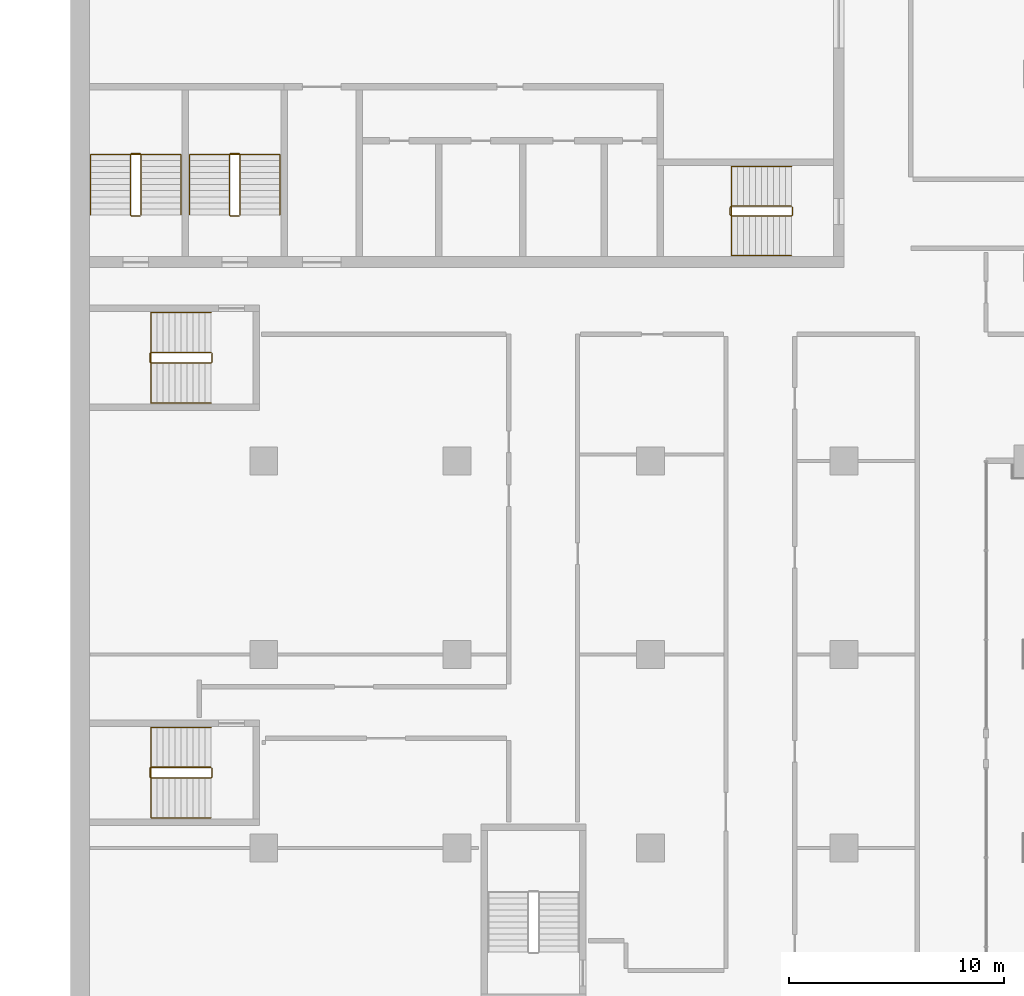
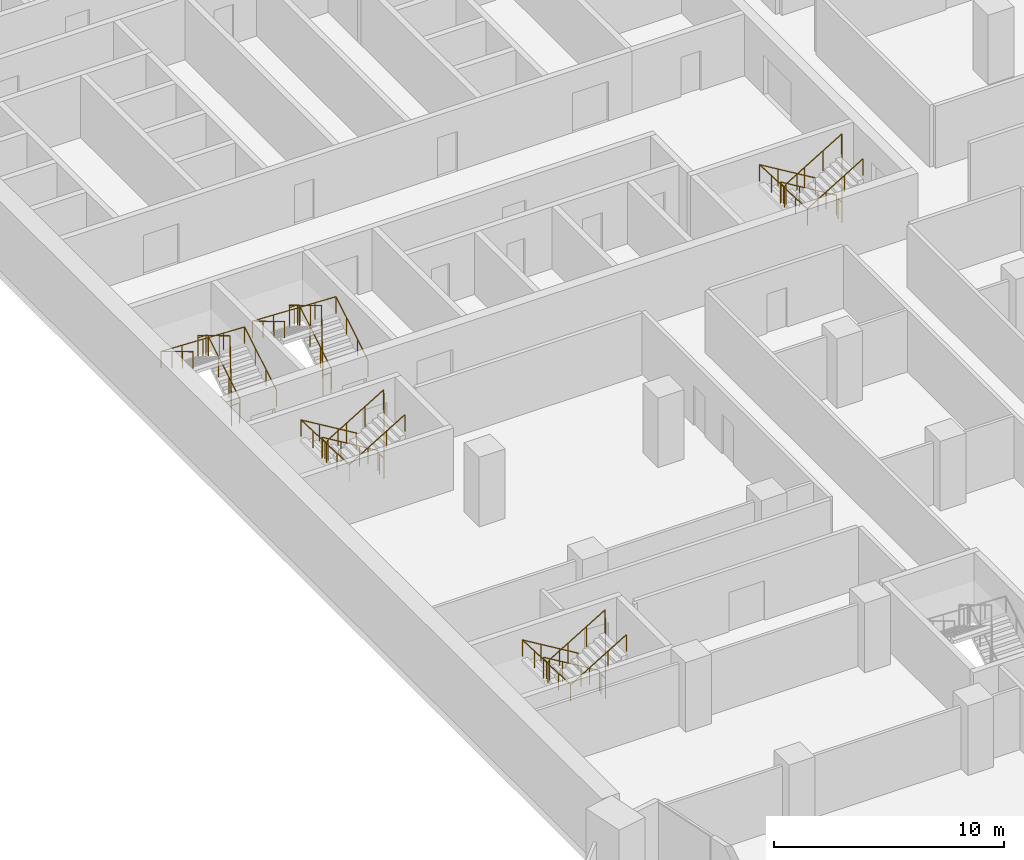
# One storey, part 21 of 23: 10 railings.
"""IFC4 building model written with IfcOpenShell, lengths in metres."""

from ifc_helpers import new_model, si_unit, direction, frame, origin, origin_2d, place, context, subcontext, project, spatial, circle, extrude, material, type_object, element, save


model = new_model("IFC4")

# Units and contexts
model_context = context("Model", 3, precision=1e-05, world=origin(), true_north=direction((0.0, 1.0)))
body_context = subcontext(model_context, "Body", "Model", "MODEL_VIEW")
ifc_project = project(units=[si_unit("LENGTHUNIT", "METRE"), si_unit("AREAUNIT", "SQUARE_METRE"), si_unit("VOLUMEUNIT", "CUBIC_METRE"), si_unit("PLANEANGLEUNIT", "RADIAN"), si_unit("MASSUNIT", "GRAM", prefix="KILO")], contexts=[model_context])

# Site, building, storey
site_placement = place(None, origin())
site = spatial("IfcSite", under=ifc_project, at=site_placement, CompositionType="ELEMENT")
building_placement = place(site_placement, origin())
building = spatial("IfcBuilding", under=site, at=building_placement, Name="Hunhe Ridgeline Campus", CompositionType="ELEMENT")
storey_placement = place(building_placement, frame((0.0, 0.0, 121.800048828125)))
storey = spatial("IfcBuildingStorey", under=building, at=storey_placement, Name="L30", CompositionType="ELEMENT", Elevation=121.800048828125)

# Railings
ifc_material_1 = material(Name="Stainless steel balustrade", Category="steel")
railing_type_1 = type_object("IfcRailingType", Name="Stair guard 1100 stainless", PredefinedType="GUARDRAIL", material=ifc_material_1)
railing_1_placement = place(storey_placement, frame((33.550048828125, 65.85009765625, 0.168212890625)))
element("IfcRailing", 1, at=railing_1_placement, inside=storey, type_object=railing_type_1, Name="L30 stair S2 guard", PredefinedType="GUARDRAIL", context=body_context, shape_type="SweptSolid", body=[
    extrude(circle(Radius=0.02392578125, at=origin_2d()), frame((0.0, 0.0, 1.076171875), z_axis=(-0.857275202839, 0.0, 0.514858452973), x_axis=(0.0, -1.0, 0.0)), (0.0, 0.0, 1.0), 3.26611328125),
    extrude(circle(Radius=0.02392578125, at=origin_2d()), frame((-2.800048828125, 0.0, 2.7578125), z_axis=(-0.707106781187, -0.707106781187, 0.0), x_axis=(0.707106781187, -0.707106781187, 0.0)), (0.0, 0.0, 1.0), 0.07080078125),
    extrude(circle(Radius=0.02392578125, at=origin_2d()), frame((-2.85009765625, -0.050048828125, 2.7578125), z_axis=(0.0, -1.0, 0.0), x_axis=(1.0, 0.0, 0.0)), (0.0, 0.0, 1.0), 0.35009765625),
    extrude(circle(Radius=0.02392578125, at=origin_2d()), frame((-2.85009765625, -0.400146484375, 2.7578125), z_axis=(0.274243871929, -0.274243871929, 0.92172696468), x_axis=(0.707106781187, 0.707106781187, 0.0)), (0.0, 0.0, 1.0), 0.1826171875),
    extrude(circle(Radius=0.02392578125, at=origin_2d()), frame((-2.800048828125, -0.4501953125, 2.92578125), z_axis=(0.857242210791, 0.0, 0.514913383045), x_axis=(0.0, 1.0, 0.0)), (0.0, 0.0, 1.0), 3.266357421875),
    extrude(circle(Radius=0.02392578125, at=origin_2d()), frame((0.0, -0.4501953125, 4.60791015625), z_axis=(0.013524414389, 0.013524414389, -0.999817073484), x_axis=(-0.707106781187, 0.707106781187, 0.0)), (0.0, 0.0, 1.0), 3.70068359375),
    extrude(circle(Radius=0.02392578125, at=origin_2d()), frame((0.050048828125, -0.400146484375, 0.90771484375), z_axis=(0.0, 1.0, 0.0), x_axis=(-1.0, 0.0, 0.0)), (0.0, 0.0, 1.0), 0.35009765625),
    extrude(circle(Radius=0.02099609375, at=origin_2d()), origin(), (0.0, 0.0, 1.0), 1.052001953125),
    extrude(circle(Radius=0.02099609375, at=origin_2d()), frame((-0.933349609375, 0.0, 0.560546875)), (0.0, 0.0, 1.0), 1.052001953125),
    extrude(circle(Radius=0.02099609375, at=origin_2d()), frame((-1.86669921875, 0.0, 1.12109375)), (0.0, 0.0, 1.0), 1.052001953125),
    extrude(circle(Radius=0.02099609375, at=origin_2d()), frame((-2.800048828125, 0.0, 1.681640625)), (0.0, 0.0, 1.0), 1.052001953125),
    extrude(circle(Radius=0.02099609375, at=origin_2d()), frame((-2.85009765625, -0.050048828125, 1.681640625)), (0.0, 0.0, 1.0), 1.052001953125),
    extrude(circle(Radius=0.02099609375, at=origin_2d()), frame((-2.85009765625, -0.400146484375, 1.681640625)), (0.0, 0.0, 1.0), 1.052001953125),
    extrude(circle(Radius=0.02099609375, at=origin_2d()), frame((-2.800048828125, -0.4501953125, 1.849853515625)), (0.0, 0.0, 1.0), 1.052001953125),
    extrude(circle(Radius=0.02099609375, at=origin_2d()), frame((-1.86669921875, -0.4501953125, 2.410400390625)), (0.0, 0.0, 1.0), 1.052001953125),
    extrude(circle(Radius=0.02099609375, at=origin_2d()), frame((-0.933349609375, -0.4501953125, 2.97119140625)), (0.0, 0.0, 1.0), 1.052001953125),
    extrude(circle(Radius=0.02099609375, at=origin_2d()), frame((0.0, -0.4501953125, 3.53173828125)), (0.0, 0.0, 1.0), 1.052001953125),
    extrude(circle(Radius=0.02099609375, at=origin_2d()), frame((0.012451171875, -0.437744140625, 2.606689453125)), (0.0, 0.0, 1.0), 1.052001953125),
    extrude(circle(Radius=0.02099609375, at=origin_2d()), frame((0.02490234375, -0.42529296875, 1.681640625)), (0.0, 0.0, 1.0), 1.052001953125),
    extrude(circle(Radius=0.02099609375, at=origin_2d()), frame((0.03759765625, -0.41259765625, 0.7568359375)), (0.0, 0.0, 1.0), 1.052001953125),
    extrude(circle(Radius=0.02099609375, at=origin_2d()), frame((0.050048828125, -0.400146484375, -0.168212890625)), (0.0, 0.0, 1.0), 1.052001953125),
    extrude(circle(Radius=0.02099609375, at=origin_2d()), frame((0.050048828125, -0.050048828125, -0.168212890625)), (0.0, 0.0, 1.0), 1.052001953125),
])
railing_2_placement = place(storey_placement, frame((3.300048828125, 65.449951171875, 0.168212890625)))
element("IfcRailing", 2, at=railing_2_placement, inside=storey, type_object=railing_type_1, Name="L30 stair S3 guard", PredefinedType="GUARDRAIL", context=body_context, shape_type="SweptSolid", body=[
    extrude(circle(Radius=0.02392578125, at=origin_2d()), frame((0.0, 0.0, 1.076171875), z_axis=(0.0, 0.857275202839, 0.514858452973), x_axis=(-1.0, 0.0, 0.0)), (0.0, 0.0, 1.0), 3.26611328125),
    extrude(circle(Radius=0.02392578125, at=origin_2d()), frame((0.0, 2.800048828125, 2.7578125), z_axis=(-0.707106781187, 0.707106781187, 0.0), x_axis=(-0.707106781187, -0.707106781187, 0.0)), (0.0, 0.0, 1.0), 0.07080078125),
    extrude(circle(Radius=0.02392578125, at=origin_2d()), frame((-0.050048828125, 2.85009765625, 2.7578125), z_axis=(-1.0, 0.0, 0.0), x_axis=(0.0, -1.0, 0.0)), (0.0, 0.0, 1.0), 0.39990234375),
    extrude(circle(Radius=0.02392578125, at=origin_2d()), frame((-0.449951171875, 2.85009765625, 2.7578125), z_axis=(-0.274243871929, -0.274243871929, 0.92172696468), x_axis=(0.707106781187, -0.707106781187, 0.0)), (0.0, 0.0, 1.0), 0.1826171875),
    extrude(circle(Radius=0.02392578125, at=origin_2d()), frame((-0.5, 2.800048828125, 2.92578125), z_axis=(0.0, -0.857242210791, 0.514913383045), x_axis=(1.0, 0.0, 0.0)), (0.0, 0.0, 1.0), 3.266357421875),
    extrude(circle(Radius=0.02392578125, at=origin_2d()), frame((-0.5, 0.0, 4.60791015625), z_axis=(0.013524414389, -0.013524414389, -0.999817073484), x_axis=(0.707106781187, 0.707106781187, 0.0)), (0.0, 0.0, 1.0), 3.70068359375),
    extrude(circle(Radius=0.02392578125, at=origin_2d()), frame((-0.449951171875, -0.050048828125, 0.90771484375), z_axis=(1.0, 0.0, 0.0), x_axis=(0.0, 1.0, 0.0)), (0.0, 0.0, 1.0), 0.39990234375),
    extrude(circle(Radius=0.02099609375, at=origin_2d()), origin(), (0.0, 0.0, 1.0), 1.052001953125),
    extrude(circle(Radius=0.02099609375, at=origin_2d()), frame((0.0, 0.933349609375, 0.560546875)), (0.0, 0.0, 1.0), 1.052001953125),
    extrude(circle(Radius=0.02099609375, at=origin_2d()), frame((0.0, 1.86669921875, 1.12109375)), (0.0, 0.0, 1.0), 1.052001953125),
    extrude(circle(Radius=0.02099609375, at=origin_2d()), frame((0.0, 2.800048828125, 1.681640625)), (0.0, 0.0, 1.0), 1.052001953125),
    extrude(circle(Radius=0.02099609375, at=origin_2d()), frame((-0.050048828125, 2.85009765625, 1.681640625)), (0.0, 0.0, 1.0), 1.052001953125),
    extrude(circle(Radius=0.02099609375, at=origin_2d()), frame((-0.449951171875, 2.85009765625, 1.681640625)), (0.0, 0.0, 1.0), 1.052001953125),
    extrude(circle(Radius=0.02099609375, at=origin_2d()), frame((-0.5, 2.800048828125, 1.849853515625)), (0.0, 0.0, 1.0), 1.052001953125),
    extrude(circle(Radius=0.02099609375, at=origin_2d()), frame((-0.5, 1.86669921875, 2.410400390625)), (0.0, 0.0, 1.0), 1.052001953125),
    extrude(circle(Radius=0.02099609375, at=origin_2d()), frame((-0.5, 0.933349609375, 2.97119140625)), (0.0, 0.0, 1.0), 1.052001953125),
    extrude(circle(Radius=0.02099609375, at=origin_2d()), frame((-0.5, 0.0, 3.53173828125)), (0.0, 0.0, 1.0), 1.052001953125),
    extrude(circle(Radius=0.02099609375, at=origin_2d()), frame((-0.487548828125, -0.012451171875, 2.606689453125)), (0.0, 0.0, 1.0), 1.052001953125),
    extrude(circle(Radius=0.02099609375, at=origin_2d()), frame((-0.47509765625, -0.02490234375, 1.681640625)), (0.0, 0.0, 1.0), 1.052001953125),
    extrude(circle(Radius=0.02099609375, at=origin_2d()), frame((-0.46240234375, -0.03759765625, 0.7568359375)), (0.0, 0.0, 1.0), 1.052001953125),
    extrude(circle(Radius=0.02099609375, at=origin_2d()), frame((-0.449951171875, -0.050048828125, -0.168212890625)), (0.0, 0.0, 1.0), 1.052001953125),
    extrude(circle(Radius=0.02099609375, at=origin_2d()), frame((-0.050048828125, -0.050048828125, -0.168212890625)), (0.0, 0.0, 1.0), 1.052001953125),
])
railing_3_placement = place(storey_placement, frame((7.89990234375, 65.449951171875, 0.168212890625)))
element("IfcRailing", 3, at=railing_3_placement, inside=storey, type_object=railing_type_1, Name="L30 stair S4 guard", PredefinedType="GUARDRAIL", context=body_context, shape_type="SweptSolid", body=[
    extrude(circle(Radius=0.02392578125, at=origin_2d()), frame((0.0, 0.0, 1.076171875), z_axis=(0.0, 0.857275202839, 0.514858452973), x_axis=(-1.0, 0.0, 0.0)), (0.0, 0.0, 1.0), 3.26611328125),
    extrude(circle(Radius=0.02392578125, at=origin_2d()), frame((0.0, 2.800048828125, 2.7578125), z_axis=(-0.705375805398, 0.708833529934, 0.0), x_axis=(-0.708833529934, -0.705375805398, 0.0)), (0.0, 0.0, 1.0), 0.070556640625),
    extrude(circle(Radius=0.02392578125, at=origin_2d()), frame((-0.0498046875, 2.85009765625, 2.7578125), z_axis=(-1.0, 0.0, 0.0), x_axis=(0.0, -1.0, 0.0)), (0.0, 0.0, 1.0), 0.400146484375),
    extrude(circle(Radius=0.02392578125, at=origin_2d()), frame((-0.449951171875, 2.85009765625, 2.7578125), z_axis=(-0.274243871929, -0.274243871929, 0.92172696468), x_axis=(0.707106781187, -0.707106781187, 0.0)), (0.0, 0.0, 1.0), 0.1826171875),
    extrude(circle(Radius=0.02392578125, at=origin_2d()), frame((-0.5, 2.800048828125, 2.92578125), z_axis=(0.0, -0.857242210791, 0.514913383045), x_axis=(1.0, 0.0, 0.0)), (0.0, 0.0, 1.0), 3.266357421875),
    extrude(circle(Radius=0.02392578125, at=origin_2d()), frame((-0.5, 0.0, 4.60791015625), z_axis=(0.013524414389, -0.013524414389, -0.999817073484), x_axis=(0.707106781187, 0.707106781187, 0.0)), (0.0, 0.0, 1.0), 3.70068359375),
    extrude(circle(Radius=0.02392578125, at=origin_2d()), frame((-0.449951171875, -0.050048828125, 0.90771484375), z_axis=(1.0, 0.0, 0.0), x_axis=(0.0, 1.0, 0.0)), (0.0, 0.0, 1.0), 0.400146484375),
    extrude(circle(Radius=0.02099609375, at=origin_2d()), origin(), (0.0, 0.0, 1.0), 1.052001953125),
    extrude(circle(Radius=0.02099609375, at=origin_2d()), frame((0.0, 0.933349609375, 0.560546875)), (0.0, 0.0, 1.0), 1.052001953125),
    extrude(circle(Radius=0.02099609375, at=origin_2d()), frame((0.0, 1.86669921875, 1.12109375)), (0.0, 0.0, 1.0), 1.052001953125),
    extrude(circle(Radius=0.02099609375, at=origin_2d()), frame((0.0, 2.800048828125, 1.681640625)), (0.0, 0.0, 1.0), 1.052001953125),
    extrude(circle(Radius=0.02099609375, at=origin_2d()), frame((-0.0498046875, 2.85009765625, 1.681640625)), (0.0, 0.0, 1.0), 1.052001953125),
    extrude(circle(Radius=0.02099609375, at=origin_2d()), frame((-0.449951171875, 2.85009765625, 1.681640625)), (0.0, 0.0, 1.0), 1.052001953125),
    extrude(circle(Radius=0.02099609375, at=origin_2d()), frame((-0.5, 2.800048828125, 1.849853515625)), (0.0, 0.0, 1.0), 1.052001953125),
    extrude(circle(Radius=0.02099609375, at=origin_2d()), frame((-0.5, 1.86669921875, 2.410400390625)), (0.0, 0.0, 1.0), 1.052001953125),
    extrude(circle(Radius=0.02099609375, at=origin_2d()), frame((-0.5, 0.933349609375, 2.97119140625)), (0.0, 0.0, 1.0), 1.052001953125),
    extrude(circle(Radius=0.02099609375, at=origin_2d()), frame((-0.5, 0.0, 3.53173828125)), (0.0, 0.0, 1.0), 1.052001953125),
    extrude(circle(Radius=0.02099609375, at=origin_2d()), frame((-0.487548828125, -0.012451171875, 2.606689453125)), (0.0, 0.0, 1.0), 1.052001953125),
    extrude(circle(Radius=0.02099609375, at=origin_2d()), frame((-0.47509765625, -0.02490234375, 1.681640625)), (0.0, 0.0, 1.0), 1.052001953125),
    extrude(circle(Radius=0.02099609375, at=origin_2d()), frame((-0.46240234375, -0.03759765625, 0.7568359375)), (0.0, 0.0, 1.0), 1.052001953125),
    extrude(circle(Radius=0.02099609375, at=origin_2d()), frame((-0.449951171875, -0.050048828125, -0.168212890625)), (0.0, 0.0, 1.0), 1.052001953125),
    extrude(circle(Radius=0.02099609375, at=origin_2d()), frame((-0.0498046875, -0.050048828125, -0.168212890625)), (0.0, 0.0, 1.0), 1.052001953125),
])
railing_4_placement = place(storey_placement, frame((6.550048828125, 39.75, 0.168212890625)))
element("IfcRailing", 4, at=railing_4_placement, inside=storey, type_object=railing_type_1, Name="L30 stair W1 guard", PredefinedType="GUARDRAIL", context=body_context, shape_type="SweptSolid", body=[
    extrude(circle(Radius=0.02392578125, at=origin_2d()), frame((0.0, 0.0, 1.076171875), z_axis=(-0.857275202839, 0.0, 0.514858452973), x_axis=(0.0, -1.0, 0.0)), (0.0, 0.0, 1.0), 3.26611328125),
    extrude(circle(Radius=0.02392578125, at=origin_2d()), frame((-2.800048828125, 0.0, 2.7578125), z_axis=(-0.707106781187, -0.707106781187, 0.0), x_axis=(0.707106781187, -0.707106781187, 0.0)), (0.0, 0.0, 1.0), 0.07080078125),
    extrude(circle(Radius=0.02392578125, at=origin_2d()), frame((-2.85009765625, -0.050048828125, 2.7578125), z_axis=(0.0, -1.0, 0.0), x_axis=(1.0, 0.0, 0.0)), (0.0, 0.0, 1.0), 0.39990234375),
    extrude(circle(Radius=0.02392578125, at=origin_2d()), frame((-2.85009765625, -0.449951171875, 2.7578125), z_axis=(0.274243871929, -0.274243871929, 0.92172696468), x_axis=(0.707106781187, 0.707106781187, 0.0)), (0.0, 0.0, 1.0), 0.1826171875),
    extrude(circle(Radius=0.02392578125, at=origin_2d()), frame((-2.800048828125, -0.5, 2.92578125), z_axis=(0.857242210791, 0.0, 0.514913383045), x_axis=(0.0, 1.0, 0.0)), (0.0, 0.0, 1.0), 3.266357421875),
    extrude(circle(Radius=0.02392578125, at=origin_2d()), frame((0.0, -0.5, 4.60791015625), z_axis=(0.013524414389, 0.013524414389, -0.999817073484), x_axis=(-0.707106781187, 0.707106781187, 0.0)), (0.0, 0.0, 1.0), 3.70068359375),
    extrude(circle(Radius=0.02392578125, at=origin_2d()), frame((0.050048828125, -0.449951171875, 0.90771484375), z_axis=(0.0, 1.0, 0.0), x_axis=(-1.0, 0.0, 0.0)), (0.0, 0.0, 1.0), 0.39990234375),
    extrude(circle(Radius=0.02099609375, at=origin_2d()), origin(), (0.0, 0.0, 1.0), 1.052001953125),
    extrude(circle(Radius=0.02099609375, at=origin_2d()), frame((-0.933349609375, 0.0, 0.560546875)), (0.0, 0.0, 1.0), 1.052001953125),
    extrude(circle(Radius=0.02099609375, at=origin_2d()), frame((-1.86669921875, 0.0, 1.12109375)), (0.0, 0.0, 1.0), 1.052001953125),
    extrude(circle(Radius=0.02099609375, at=origin_2d()), frame((-2.800048828125, 0.0, 1.681640625)), (0.0, 0.0, 1.0), 1.052001953125),
    extrude(circle(Radius=0.02099609375, at=origin_2d()), frame((-2.85009765625, -0.050048828125, 1.681640625)), (0.0, 0.0, 1.0), 1.052001953125),
    extrude(circle(Radius=0.02099609375, at=origin_2d()), frame((-2.85009765625, -0.449951171875, 1.681640625)), (0.0, 0.0, 1.0), 1.052001953125),
    extrude(circle(Radius=0.02099609375, at=origin_2d()), frame((-2.800048828125, -0.5, 1.849853515625)), (0.0, 0.0, 1.0), 1.052001953125),
    extrude(circle(Radius=0.02099609375, at=origin_2d()), frame((-1.86669921875, -0.5, 2.410400390625)), (0.0, 0.0, 1.0), 1.052001953125),
    extrude(circle(Radius=0.02099609375, at=origin_2d()), frame((-0.933349609375, -0.5, 2.97119140625)), (0.0, 0.0, 1.0), 1.052001953125),
    extrude(circle(Radius=0.02099609375, at=origin_2d()), frame((0.0, -0.5, 3.53173828125)), (0.0, 0.0, 1.0), 1.052001953125),
    extrude(circle(Radius=0.02099609375, at=origin_2d()), frame((0.012451171875, -0.487548828125, 2.606689453125)), (0.0, 0.0, 1.0), 1.052001953125),
    extrude(circle(Radius=0.02099609375, at=origin_2d()), frame((0.02490234375, -0.47509765625, 1.681640625)), (0.0, 0.0, 1.0), 1.052001953125),
    extrude(circle(Radius=0.02099609375, at=origin_2d()), frame((0.03759765625, -0.46240234375, 0.7568359375)), (0.0, 0.0, 1.0), 1.052001953125),
    extrude(circle(Radius=0.02099609375, at=origin_2d()), frame((0.050048828125, -0.449951171875, -0.168212890625)), (0.0, 0.0, 1.0), 1.052001953125),
    extrude(circle(Radius=0.02099609375, at=origin_2d()), frame((0.050048828125, -0.050048828125, -0.168212890625)), (0.0, 0.0, 1.0), 1.052001953125),
])
railing_5_placement = place(storey_placement, frame((6.550048828125, 59.050048828125, 0.168212890625)))
element("IfcRailing", 5, at=railing_5_placement, inside=storey, type_object=railing_type_1, Name="L30 stair W2 guard", PredefinedType="GUARDRAIL", context=body_context, shape_type="SweptSolid", body=[
    extrude(circle(Radius=0.02392578125, at=origin_2d()), frame((0.0, 0.0, 1.076171875), z_axis=(-0.857275202839, 0.0, 0.514858452973), x_axis=(0.0, -1.0, 0.0)), (0.0, 0.0, 1.0), 3.26611328125),
    extrude(circle(Radius=0.02392578125, at=origin_2d()), frame((-2.800048828125, 0.0, 2.7578125), z_axis=(-0.707106781187, -0.707106781187, 0.0), x_axis=(0.707106781187, -0.707106781187, 0.0)), (0.0, 0.0, 1.0), 0.07080078125),
    extrude(circle(Radius=0.02392578125, at=origin_2d()), frame((-2.85009765625, -0.050048828125, 2.7578125), z_axis=(0.0, -1.0, 0.0), x_axis=(1.0, 0.0, 0.0)), (0.0, 0.0, 1.0), 0.39990234375),
    extrude(circle(Radius=0.02392578125, at=origin_2d()), frame((-2.85009765625, -0.449951171875, 2.7578125), z_axis=(0.274243871929, -0.274243871929, 0.92172696468), x_axis=(0.707106781187, 0.707106781187, 0.0)), (0.0, 0.0, 1.0), 0.1826171875),
    extrude(circle(Radius=0.02392578125, at=origin_2d()), frame((-2.800048828125, -0.5, 2.92578125), z_axis=(0.857242210791, 0.0, 0.514913383045), x_axis=(0.0, 1.0, 0.0)), (0.0, 0.0, 1.0), 3.266357421875),
    extrude(circle(Radius=0.02392578125, at=origin_2d()), frame((0.0, -0.5, 4.60791015625), z_axis=(0.013524414389, 0.013524414389, -0.999817073484), x_axis=(-0.707106781187, 0.707106781187, 0.0)), (0.0, 0.0, 1.0), 3.70068359375),
    extrude(circle(Radius=0.02392578125, at=origin_2d()), frame((0.050048828125, -0.449951171875, 0.90771484375), z_axis=(0.0, 1.0, 0.0), x_axis=(-1.0, 0.0, 0.0)), (0.0, 0.0, 1.0), 0.39990234375),
    extrude(circle(Radius=0.02099609375, at=origin_2d()), origin(), (0.0, 0.0, 1.0), 1.052001953125),
    extrude(circle(Radius=0.02099609375, at=origin_2d()), frame((-0.933349609375, 0.0, 0.560546875)), (0.0, 0.0, 1.0), 1.052001953125),
    extrude(circle(Radius=0.02099609375, at=origin_2d()), frame((-1.86669921875, 0.0, 1.12109375)), (0.0, 0.0, 1.0), 1.052001953125),
    extrude(circle(Radius=0.02099609375, at=origin_2d()), frame((-2.800048828125, 0.0, 1.681640625)), (0.0, 0.0, 1.0), 1.052001953125),
    extrude(circle(Radius=0.02099609375, at=origin_2d()), frame((-2.85009765625, -0.050048828125, 1.681640625)), (0.0, 0.0, 1.0), 1.052001953125),
    extrude(circle(Radius=0.02099609375, at=origin_2d()), frame((-2.85009765625, -0.449951171875, 1.681640625)), (0.0, 0.0, 1.0), 1.052001953125),
    extrude(circle(Radius=0.02099609375, at=origin_2d()), frame((-2.800048828125, -0.5, 1.849853515625)), (0.0, 0.0, 1.0), 1.052001953125),
    extrude(circle(Radius=0.02099609375, at=origin_2d()), frame((-1.86669921875, -0.5, 2.410400390625)), (0.0, 0.0, 1.0), 1.052001953125),
    extrude(circle(Radius=0.02099609375, at=origin_2d()), frame((-0.933349609375, -0.5, 2.97119140625)), (0.0, 0.0, 1.0), 1.052001953125),
    extrude(circle(Radius=0.02099609375, at=origin_2d()), frame((0.0, -0.5, 3.53173828125)), (0.0, 0.0, 1.0), 1.052001953125),
    extrude(circle(Radius=0.02099609375, at=origin_2d()), frame((0.012451171875, -0.487548828125, 2.606689453125)), (0.0, 0.0, 1.0), 1.052001953125),
    extrude(circle(Radius=0.02099609375, at=origin_2d()), frame((0.02490234375, -0.47509765625, 1.681640625)), (0.0, 0.0, 1.0), 1.052001953125),
    extrude(circle(Radius=0.02099609375, at=origin_2d()), frame((0.03759765625, -0.46240234375, 0.7568359375)), (0.0, 0.0, 1.0), 1.052001953125),
    extrude(circle(Radius=0.02099609375, at=origin_2d()), frame((0.050048828125, -0.449951171875, -0.168212890625)), (0.0, 0.0, 1.0), 1.052001953125),
    extrude(circle(Radius=0.02099609375, at=origin_2d()), frame((0.050048828125, -0.050048828125, -0.168212890625)), (0.0, 0.0, 1.0), 1.052001953125),
])
ifc_material_2 = material(Name="Stainless steel handrail", Category="steel")
railing_type_2 = type_object("IfcRailingType", Name="Stair handrail 900 stainless", PredefinedType="HANDRAIL", material=ifc_material_2)
railing_6_placement = place(storey_placement, frame((33.550048828125, 67.699951171875, 0.168212890625)))
element("IfcRailing", 6, at=railing_6_placement, inside=storey, type_object=railing_type_2, Name="L30 stair S2 handrail", PredefinedType="HANDRAIL", context=body_context, shape_type="SweptSolid", body=[
    extrude(circle(Radius=0.02392578125, at=origin_2d()), frame((0.0, 0.0, 0.8759765625), z_axis=(-0.857275202839, 0.0, 0.514858452973), x_axis=(0.0, -1.0, 0.0)), (0.0, 0.0, 1.0), 3.26611328125),
    extrude(circle(Radius=0.02392578125, at=origin_2d()), frame((-2.800048828125, 0.0, 2.5576171875), z_axis=(0.0, -0.99917950104, 0.040500922239), x_axis=(1.0, 0.0, 0.0)), (0.0, 0.0, 1.0), 4.1533203125),
    extrude(circle(Radius=0.02392578125, at=origin_2d()), frame((-2.800048828125, -4.14990234375, 2.7255859375), z_axis=(0.857242210791, 0.0, 0.514913383045), x_axis=(0.0, 1.0, 0.0)), (0.0, 0.0, 1.0), 3.266357421875),
    extrude(circle(Radius=0.02099609375, at=origin_2d()), origin(), (0.0, 0.0, 1.0), 0.851806640625),
    extrude(circle(Radius=0.02099609375, at=origin_2d()), frame((-0.933349609375, 0.0, 0.560546875)), (0.0, 0.0, 1.0), 0.851806640625),
    extrude(circle(Radius=0.02099609375, at=origin_2d()), frame((-1.86669921875, 0.0, 1.12109375)), (0.0, 0.0, 1.0), 0.851806640625),
    extrude(circle(Radius=0.02099609375, at=origin_2d()), frame((-2.800048828125, 0.0, 1.681640625)), (0.0, 0.0, 1.0), 0.851806640625),
    extrude(circle(Radius=0.02099609375, at=origin_2d()), frame((-2.800048828125, -1.03759765625, 1.7236328125)), (0.0, 0.0, 1.0), 0.851806640625),
    extrude(circle(Radius=0.02099609375, at=origin_2d()), frame((-2.800048828125, -2.074951171875, 1.765625)), (0.0, 0.0, 1.0), 0.851806640625),
    extrude(circle(Radius=0.02099609375, at=origin_2d()), frame((-2.800048828125, -3.1123046875, 1.807861328125)), (0.0, 0.0, 1.0), 0.851806640625),
    extrude(circle(Radius=0.02099609375, at=origin_2d()), frame((-2.800048828125, -4.14990234375, 1.849853515625)), (0.0, 0.0, 1.0), 0.851806640625),
    extrude(circle(Radius=0.02099609375, at=origin_2d()), frame((-1.86669921875, -4.14990234375, 2.410400390625)), (0.0, 0.0, 1.0), 0.851806640625),
    extrude(circle(Radius=0.02099609375, at=origin_2d()), frame((-0.933349609375, -4.14990234375, 2.97119140625)), (0.0, 0.0, 1.0), 0.851806640625),
    extrude(circle(Radius=0.02099609375, at=origin_2d()), frame((0.0, -4.14990234375, 3.53173828125)), (0.0, 0.0, 1.0), 0.851806640625),
])
railing_7_placement = place(storey_placement, frame((5.14990234375, 65.449951171875, 0.168212890625)))
element("IfcRailing", 7, at=railing_7_placement, inside=storey, type_object=railing_type_2, Name="L30 stair S3 handrail", PredefinedType="HANDRAIL", context=body_context, shape_type="SweptSolid", body=[
    extrude(circle(Radius=0.02392578125, at=origin_2d()), frame((0.0, 0.0, 0.8759765625), z_axis=(0.0, 0.857275202839, 0.514858452973), x_axis=(-1.0, 0.0, 0.0)), (0.0, 0.0, 1.0), 3.26611328125),
    extrude(circle(Radius=0.02392578125, at=origin_2d()), frame((0.0, 2.800048828125, 2.5576171875), z_axis=(-0.999198916169, 0.0, 0.040019069537), x_axis=(0.0, -1.0, 0.0)), (0.0, 0.0, 1.0), 4.203369140625),
    extrude(circle(Radius=0.02392578125, at=origin_2d()), frame((-4.199951171875, 2.800048828125, 2.7255859375), z_axis=(0.0, -0.857242210791, 0.514913383045), x_axis=(1.0, 0.0, 0.0)), (0.0, 0.0, 1.0), 3.266357421875),
    extrude(circle(Radius=0.02099609375, at=origin_2d()), origin(), (0.0, 0.0, 1.0), 0.851806640625),
    extrude(circle(Radius=0.02099609375, at=origin_2d()), frame((0.0, 0.933349609375, 0.560546875)), (0.0, 0.0, 1.0), 0.851806640625),
    extrude(circle(Radius=0.02099609375, at=origin_2d()), frame((0.0, 1.86669921875, 1.12109375)), (0.0, 0.0, 1.0), 0.851806640625),
    extrude(circle(Radius=0.02099609375, at=origin_2d()), frame((0.0, 2.800048828125, 1.681640625)), (0.0, 0.0, 1.0), 0.851806640625),
    extrude(circle(Radius=0.02099609375, at=origin_2d()), frame((-1.050048828125, 2.800048828125, 1.7236328125)), (0.0, 0.0, 1.0), 0.851806640625),
    extrude(circle(Radius=0.02099609375, at=origin_2d()), frame((-2.10009765625, 2.800048828125, 1.765625)), (0.0, 0.0, 1.0), 0.851806640625),
    extrude(circle(Radius=0.02099609375, at=origin_2d()), frame((-3.14990234375, 2.800048828125, 1.807861328125)), (0.0, 0.0, 1.0), 0.851806640625),
    extrude(circle(Radius=0.02099609375, at=origin_2d()), frame((-4.199951171875, 2.800048828125, 1.849853515625)), (0.0, 0.0, 1.0), 0.851806640625),
    extrude(circle(Radius=0.02099609375, at=origin_2d()), frame((-4.199951171875, 1.86669921875, 2.410400390625)), (0.0, 0.0, 1.0), 0.851806640625),
    extrude(circle(Radius=0.02099609375, at=origin_2d()), frame((-4.199951171875, 0.933349609375, 2.97119140625)), (0.0, 0.0, 1.0), 0.851806640625),
    extrude(circle(Radius=0.02099609375, at=origin_2d()), frame((-4.199951171875, 0.0, 3.53173828125)), (0.0, 0.0, 1.0), 0.851806640625),
])
railing_8_placement = place(storey_placement, frame((9.75, 65.449951171875, 0.168212890625)))
element("IfcRailing", 8, at=railing_8_placement, inside=storey, type_object=railing_type_2, Name="L30 stair S4 handrail", PredefinedType="HANDRAIL", context=body_context, shape_type="SweptSolid", body=[
    extrude(circle(Radius=0.02392578125, at=origin_2d()), frame((0.0, 0.0, 0.8759765625), z_axis=(0.0, 0.857275202839, 0.514858452973), x_axis=(-1.0, 0.0, 0.0)), (0.0, 0.0, 1.0), 3.26611328125),
    extrude(circle(Radius=0.02392578125, at=origin_2d()), frame((0.0, 2.800048828125, 2.5576171875), z_axis=(-0.999198916169, 0.0, 0.040019069537), x_axis=(0.0, -1.0, 0.0)), (0.0, 0.0, 1.0), 4.203369140625),
    extrude(circle(Radius=0.02392578125, at=origin_2d()), frame((-4.199951171875, 2.800048828125, 2.7255859375), z_axis=(0.0, -0.857242210791, 0.514913383045), x_axis=(1.0, 0.0, 0.0)), (0.0, 0.0, 1.0), 3.266357421875),
    extrude(circle(Radius=0.02099609375, at=origin_2d()), origin(), (0.0, 0.0, 1.0), 0.851806640625),
    extrude(circle(Radius=0.02099609375, at=origin_2d()), frame((0.0, 0.933349609375, 0.560546875)), (0.0, 0.0, 1.0), 0.851806640625),
    extrude(circle(Radius=0.02099609375, at=origin_2d()), frame((0.0, 1.86669921875, 1.12109375)), (0.0, 0.0, 1.0), 0.851806640625),
    extrude(circle(Radius=0.02099609375, at=origin_2d()), frame((0.0, 2.800048828125, 1.681640625)), (0.0, 0.0, 1.0), 0.851806640625),
    extrude(circle(Radius=0.02099609375, at=origin_2d()), frame((-1.050048828125, 2.800048828125, 1.7236328125)), (0.0, 0.0, 1.0), 0.851806640625),
    extrude(circle(Radius=0.02099609375, at=origin_2d()), frame((-2.10009765625, 2.800048828125, 1.765625)), (0.0, 0.0, 1.0), 0.851806640625),
    extrude(circle(Radius=0.02099609375, at=origin_2d()), frame((-3.14990234375, 2.800048828125, 1.807861328125)), (0.0, 0.0, 1.0), 0.851806640625),
    extrude(circle(Radius=0.02099609375, at=origin_2d()), frame((-4.199951171875, 2.800048828125, 1.849853515625)), (0.0, 0.0, 1.0), 0.851806640625),
    extrude(circle(Radius=0.02099609375, at=origin_2d()), frame((-4.199951171875, 1.86669921875, 2.410400390625)), (0.0, 0.0, 1.0), 0.851806640625),
    extrude(circle(Radius=0.02099609375, at=origin_2d()), frame((-4.199951171875, 0.933349609375, 2.97119140625)), (0.0, 0.0, 1.0), 0.851806640625),
    extrude(circle(Radius=0.02099609375, at=origin_2d()), frame((-4.199951171875, 0.0, 3.53173828125)), (0.0, 0.0, 1.0), 0.851806640625),
])
railing_9_placement = place(storey_placement, frame((6.550048828125, 41.60009765625, 0.168212890625)))
element("IfcRailing", 9, at=railing_9_placement, inside=storey, type_object=railing_type_2, Name="L30 stair W1 handrail", PredefinedType="HANDRAIL", context=body_context, shape_type="SweptSolid", body=[
    extrude(circle(Radius=0.02392578125, at=origin_2d()), frame((0.0, 0.0, 0.8759765625), z_axis=(-0.857275202839, 0.0, 0.514858452973), x_axis=(0.0, -1.0, 0.0)), (0.0, 0.0, 1.0), 3.26611328125),
    extrude(circle(Radius=0.02392578125, at=origin_2d()), frame((-2.800048828125, 0.0, 2.5576171875), z_axis=(0.0, -0.999199009182, 0.040016747113), x_axis=(1.0, 0.0, 0.0)), (0.0, 0.0, 1.0), 4.20361328125),
    extrude(circle(Radius=0.02392578125, at=origin_2d()), frame((-2.800048828125, -4.2001953125, 2.7255859375), z_axis=(0.857242210791, 0.0, 0.514913383045), x_axis=(0.0, 1.0, 0.0)), (0.0, 0.0, 1.0), 3.266357421875),
    extrude(circle(Radius=0.02099609375, at=origin_2d()), origin(), (0.0, 0.0, 1.0), 0.851806640625),
    extrude(circle(Radius=0.02099609375, at=origin_2d()), frame((-0.933349609375, 0.0, 0.560546875)), (0.0, 0.0, 1.0), 0.851806640625),
    extrude(circle(Radius=0.02099609375, at=origin_2d()), frame((-1.86669921875, 0.0, 1.12109375)), (0.0, 0.0, 1.0), 0.851806640625),
    extrude(circle(Radius=0.02099609375, at=origin_2d()), frame((-2.800048828125, 0.0, 1.681640625)), (0.0, 0.0, 1.0), 0.851806640625),
    extrude(circle(Radius=0.02099609375, at=origin_2d()), frame((-2.800048828125, -1.050048828125, 1.7236328125)), (0.0, 0.0, 1.0), 0.851806640625),
    extrude(circle(Radius=0.02099609375, at=origin_2d()), frame((-2.800048828125, -2.10009765625, 1.765625)), (0.0, 0.0, 1.0), 0.851806640625),
    extrude(circle(Radius=0.02099609375, at=origin_2d()), frame((-2.800048828125, -3.150146484375, 1.807861328125)), (0.0, 0.0, 1.0), 0.851806640625),
    extrude(circle(Radius=0.02099609375, at=origin_2d()), frame((-2.800048828125, -4.2001953125, 1.849853515625)), (0.0, 0.0, 1.0), 0.851806640625),
    extrude(circle(Radius=0.02099609375, at=origin_2d()), frame((-1.86669921875, -4.2001953125, 2.410400390625)), (0.0, 0.0, 1.0), 0.851806640625),
    extrude(circle(Radius=0.02099609375, at=origin_2d()), frame((-0.933349609375, -4.2001953125, 2.97119140625)), (0.0, 0.0, 1.0), 0.851806640625),
    extrude(circle(Radius=0.02099609375, at=origin_2d()), frame((0.0, -4.2001953125, 3.53173828125)), (0.0, 0.0, 1.0), 0.851806640625),
])
railing_10_placement = place(storey_placement, frame((6.550048828125, 60.89990234375, 0.168212890625)))
element("IfcRailing", 10, at=railing_10_placement, inside=storey, type_object=railing_type_2, Name="L30 stair W2 handrail", PredefinedType="HANDRAIL", context=body_context, shape_type="SweptSolid", body=[
    extrude(circle(Radius=0.02392578125, at=origin_2d()), frame((0.0, 0.0, 0.8759765625), z_axis=(-0.857275202839, 0.0, 0.514858452973), x_axis=(0.0, -1.0, 0.0)), (0.0, 0.0, 1.0), 3.26611328125),
    extrude(circle(Radius=0.02392578125, at=origin_2d()), frame((-2.800048828125, 0.0, 2.5576171875), z_axis=(0.0, -0.999198916169, 0.040019069537), x_axis=(1.0, 0.0, 0.0)), (0.0, 0.0, 1.0), 4.203369140625),
    extrude(circle(Radius=0.02392578125, at=origin_2d()), frame((-2.800048828125, -4.199951171875, 2.7255859375), z_axis=(0.857242210791, 0.0, 0.514913383045), x_axis=(0.0, 1.0, 0.0)), (0.0, 0.0, 1.0), 3.266357421875),
    extrude(circle(Radius=0.02099609375, at=origin_2d()), origin(), (0.0, 0.0, 1.0), 0.851806640625),
    extrude(circle(Radius=0.02099609375, at=origin_2d()), frame((-0.933349609375, 0.0, 0.560546875)), (0.0, 0.0, 1.0), 0.851806640625),
    extrude(circle(Radius=0.02099609375, at=origin_2d()), frame((-1.86669921875, 0.0, 1.12109375)), (0.0, 0.0, 1.0), 0.851806640625),
    extrude(circle(Radius=0.02099609375, at=origin_2d()), frame((-2.800048828125, 0.0, 1.681640625)), (0.0, 0.0, 1.0), 0.851806640625),
    extrude(circle(Radius=0.02099609375, at=origin_2d()), frame((-2.800048828125, -1.050048828125, 1.7236328125)), (0.0, 0.0, 1.0), 0.851806640625),
    extrude(circle(Radius=0.02099609375, at=origin_2d()), frame((-2.800048828125, -2.10009765625, 1.765625)), (0.0, 0.0, 1.0), 0.851806640625),
    extrude(circle(Radius=0.02099609375, at=origin_2d()), frame((-2.800048828125, -3.14990234375, 1.807861328125)), (0.0, 0.0, 1.0), 0.851806640625),
    extrude(circle(Radius=0.02099609375, at=origin_2d()), frame((-2.800048828125, -4.199951171875, 1.849853515625)), (0.0, 0.0, 1.0), 0.851806640625),
    extrude(circle(Radius=0.02099609375, at=origin_2d()), frame((-1.86669921875, -4.199951171875, 2.410400390625)), (0.0, 0.0, 1.0), 0.851806640625),
    extrude(circle(Radius=0.02099609375, at=origin_2d()), frame((-0.933349609375, -4.199951171875, 2.97119140625)), (0.0, 0.0, 1.0), 0.851806640625),
    extrude(circle(Radius=0.02099609375, at=origin_2d()), frame((0.0, -4.199951171875, 3.53173828125)), (0.0, 0.0, 1.0), 0.851806640625),
])

save(model, "model.ifc")
